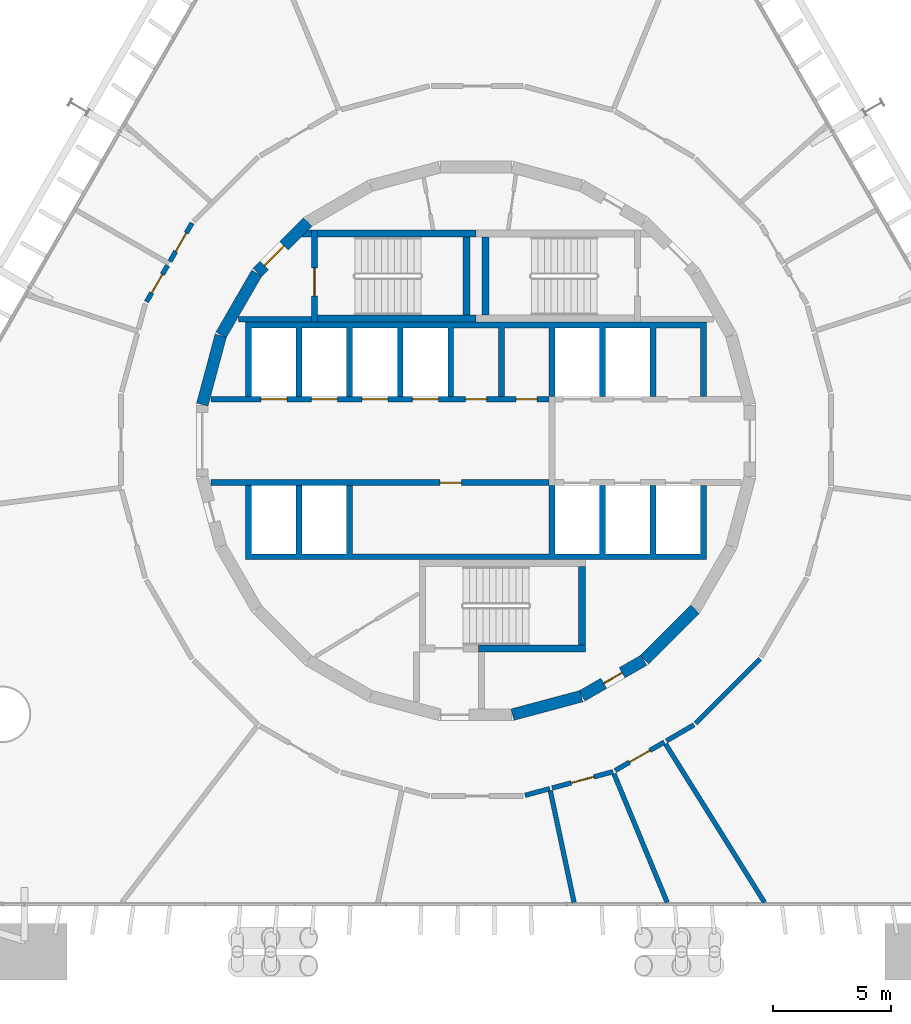
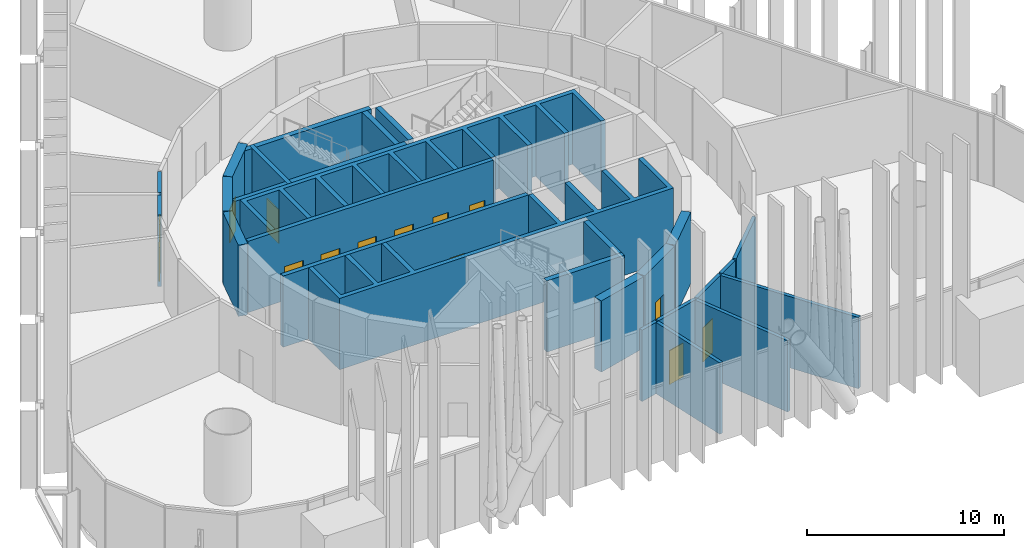
# One storey, part 14 of 17: 29 walls, 14 doors, 14 openings.
"""IFC4 building model written with IfcOpenShell, lengths in metres."""

from ifc_helpers import new_model, si_unit, direction, frame, frame_2d, origin, place, context, subcontext, project, spatial, polyline, rectangle, outline, extrude, material, layer, layer_set, type_object, element, fill, save


model = new_model("IFC4")

# Units and contexts
model_context = context("Model", 3, precision=1e-05, world=origin(), true_north=direction((0.0, 1.0)))
body_context = subcontext(model_context, "Body", "Model", "MODEL_VIEW")
ifc_project = project(units=[si_unit("LENGTHUNIT", "METRE"), si_unit("AREAUNIT", "SQUARE_METRE"), si_unit("VOLUMEUNIT", "CUBIC_METRE"), si_unit("PLANEANGLEUNIT", "RADIAN"), si_unit("MASSUNIT", "GRAM", prefix="KILO")], contexts=[model_context])

# Site, building, storey
site_placement = place(None, origin())
site = spatial("IfcSite", under=ifc_project, at=site_placement, CompositionType="ELEMENT")
building_placement = place(site_placement, origin())
building = spatial("IfcBuilding", under=site, at=building_placement, Name="Spindle Arch Residences", CompositionType="ELEMENT")
storey_placement = place(building_placement, frame((0.0, 0.0, 18.60009765625)))
storey = spatial("IfcBuildingStorey", under=building, at=storey_placement, Name="L03", CompositionType="ELEMENT", Elevation=18.60009765625)

# Wall
ifc_material_1 = material(Name="Concrete C50/60", Category="concrete")
ifc_layer_1 = layer(ifc_material_1, 0.5)
ifc_layer_set_1 = layer_set([ifc_layer_1], Name="Core outline wall 500")
wall_type_1 = type_object("IfcWallType", Name="Core outline wall 500", PredefinedType="SHEAR", material=ifc_layer_set_1)
wall_1_placement = place(storey_placement, frame((1.5498046875, -11.642822265625, 0.0), z_axis=(0.0, 0.0, 1.0), x_axis=(0.965948410781, 0.258734743916, 0.0)))
element("IfcWall", 1, at=wall_1_placement, inside=storey, type_object=wall_type_1, Name="Core outline wall 1", PredefinedType="SHEAR", context=body_context, shape_type="SweptSolid", body=[
    extrude(rectangle(XDim=3.03271484375, YDim=0.5, at=frame_2d((1.516357421875, 0.0))), origin(), (0.0, 0.0, 1.0), 4.419921875),
])

# Wall, opening, door
wall_2_placement = place(storey_placement, frame((4.510498046875, -10.84521484375, 0.0), z_axis=(0.0, 0.0, 1.0), x_axis=(0.865975092491, 0.500087131594, 0.0)))
wall_2 = element("IfcWall", 2, at=wall_2_placement, inside=storey, type_object=wall_type_1, Name="Core outline wall 2", PredefinedType="SHEAR", context=body_context, shape_type="SweptSolid", body=[
    extrude(rectangle(XDim=3.03271484375, YDim=0.5, at=frame_2d((1.516357421875, 0.0))), origin(), (0.0, 0.0, 1.0), 4.419921875),
])
opening_1_placement = place(wall_2_placement, frame((1.06640625, 0.0, 0.0)))
opening_1 = element("IfcOpeningElement", 3, at=opening_1_placement, cuts=wall_2, Name="Opening L03-WD08", PredefinedType="OPENING", context=body_context, shape_type="SweptSolid", body=[
    extrude(rectangle(XDim=0.89990234375, YDim=2.10009765625, at=frame_2d((0.449951171875, 1.050048828125))), frame((0.0, 0.260009765625, 0.0), z_axis=(0.0, -1.0, 0.0), x_axis=(1.0, 0.0, 0.0)), (0.0, 0.0, 1.0), 0.52001953125),
])
ifc_material_2 = material(Name="Steel, fire-resisting door", Category="steel")
door_type_1 = type_object("IfcDoorType", Name="Service room door 900x2100", OperationType="SINGLE_SWING_LEFT", PredefinedType="DOOR", material=ifc_material_2)
door_1_placement = place(opening_1_placement, origin())
door_1 = element("IfcDoor", 4, at=door_1_placement, inside=storey, type_object=door_type_1, Name="Service room door L03-WD08", OperationType="SINGLE_SWING_LEFT", OverallHeight=2.10009765625, OverallWidth=0.89990234375, PredefinedType="DOOR", context=body_context, shape_type="SweptSolid", body=[
    extrude(rectangle(XDim=0.89990234375, YDim=2.10009765625, at=frame_2d((0.449951171875, 1.050048828125))), frame((0.0, 0.02490234375, 0.0), z_axis=(0.0, -1.0, 0.0), x_axis=(1.0, 0.0, 0.0)), (0.0, 0.0, 1.0), 0.050048828125),
])
fill(opening_1, door_1)

# Wall
wall_3_placement = place(storey_placement, frame((7.163818359375, -9.30810546875, 0.0), z_axis=(0.0, 0.0, 1.0), x_axis=(0.707106781187, 0.707106781187, 0.0)))
element("IfcWall", 5, at=wall_3_placement, inside=storey, type_object=wall_type_1, Name="Core outline wall 3", PredefinedType="SHEAR", context=body_context, shape_type="SweptSolid", body=[
    extrude(rectangle(XDim=3.032470703125, YDim=0.5, at=frame_2d((1.51611328125, 0.0))), origin(), (0.0, 0.0, 1.0), 4.419921875),
])

# Wall, opening, door
wall_4_placement = place(storey_placement, frame((-7.163818359375, 9.30810546875, 0.0), z_axis=(0.0, 0.0, 1.0), x_axis=(-0.707106781187, -0.707106781187, 0.0)))
wall_4 = element("IfcWall", 6, at=wall_4_placement, inside=storey, type_object=wall_type_1, Name="Core outline wall 15", PredefinedType="SHEAR", context=body_context, shape_type="SweptSolid", body=[
    extrude(rectangle(XDim=3.032470703125, YDim=0.5, at=frame_2d((1.51611328125, 0.0))), origin(), (0.0, 0.0, 1.0), 4.419921875),
])
opening_2_placement = place(wall_4_placement, frame((1.416259765625, 0.0, 0.0)))
opening_2 = element("IfcOpeningElement", 7, at=opening_2_placement, cuts=wall_4, Name="Opening L03-AD02", PredefinedType="OPENING", context=body_context, shape_type="SweptSolid", body=[
    extrude(rectangle(XDim=1.199951171875, YDim=2.10009765625, at=frame_2d((0.60009765625, 1.050048828125))), frame((0.0, 0.260009765625, 0.0), z_axis=(0.0, -1.0, 0.0), x_axis=(1.0, 0.0, 0.0)), (0.0, 0.0, 1.0), 0.52001953125),
])
ifc_material_3 = material(Name="Steel, fire-resisting door", Category="steel")
door_type_2 = type_object("IfcDoorType", Name="Stair airlock door 1200x2100", OperationType="SINGLE_SWING_LEFT", PredefinedType="DOOR", material=ifc_material_3)
door_2_placement = place(opening_2_placement, origin())
door_2 = element("IfcDoor", 8, at=door_2_placement, inside=storey, type_object=door_type_2, Name="Stair airlock door L03-AD02", OperationType="SINGLE_SWING_RIGHT", OverallHeight=2.10009765625, OverallWidth=1.199951171875, PredefinedType="DOOR", context=body_context, shape_type="SweptSolid", body=[
    extrude(rectangle(XDim=1.199951171875, YDim=2.10009765625, at=frame_2d((0.60009765625, 1.050048828125))), frame((0.0, 0.02490234375, 0.0), z_axis=(0.0, -1.0, 0.0), x_axis=(1.0, 0.0, 0.0)), (0.0, 0.0, 1.0), 0.050048828125),
])
fill(opening_2, door_2)

# Walls
for number, where, z_axis, x_axis, name in (
    (9, (-9.32861328125, 7.13671875, 0.0), (0.0, 0.0, 1.0), (-0.500087131594, -0.865975092491, 0.0), "Core outline wall 16"),
    (10, (-10.858154296875, 4.479248046875, 0.0), (0.0, 0.0, 1.0), (-0.258734743916, -0.965948410781, 0.0), "Core outline wall 17"),
):
    element("IfcWall", number, at=place(storey_placement, frame(where, z_axis=z_axis, x_axis=x_axis)), inside=storey, type_object=wall_type_1, Name=name, PredefinedType="SHEAR", context=body_context, shape_type="SweptSolid", body=[
        extrude(rectangle(XDim=3.03271484375, YDim=0.5, at=frame_2d((1.516357421875, 0.0))), origin(), (0.0, 0.0, 1.0), 4.419921875),
    ])

# Wall, openings, doors
ifc_material_4 = material(Name="Concrete C50/60", Category="concrete")
ifc_layer_2 = layer(ifc_material_4, 0.25)
ifc_layer_set_2 = layer_set([ifc_layer_2], Name="Lift shaft wall 250")
wall_type_2 = type_object("IfcWallType", Name="Lift shaft wall 250", PredefinedType="SHEAR", material=ifc_layer_set_2)
wall_5_placement = place(storey_placement, frame((-11.280029296875, 1.77490234375, 0.0), z_axis=(0.0, 0.0, 1.0), x_axis=(1.0, 0.0, 0.0)))
wall_5 = element("IfcWall", 11, at=wall_5_placement, inside=storey, type_object=wall_type_2, Name="Lift shaft front wall NW", PredefinedType="SHEAR", context=body_context, shape_type="SweptSolid", body=[
    extrude(rectangle(XDim=14.380126953125, YDim=0.25, at=frame_2d((7.18994140625, 0.0))), origin(), (0.0, 0.0, 1.0), 4.419921875),
])
opening_3_placement = place(wall_5_placement, frame((2.1298828125, 0.0, 0.0)))
opening_3 = element("IfcOpeningElement", 12, at=opening_3_placement, cuts=wall_5, Name="Opening L03-LD01", PredefinedType="OPENING", context=body_context, shape_type="SweptSolid", body=[
    extrude(rectangle(XDim=1.10009765625, YDim=2.10009765625, at=frame_2d((0.550048828125, 1.050048828125))), frame((0.0, 0.135009765625, 0.0), z_axis=(0.0, -1.0, 0.0), x_axis=(1.0, 0.0, 0.0)), (0.0, 0.0, 1.0), 0.27001953125),
])
opening_4_placement = place(wall_5_placement, frame((4.280029296875, 0.0, 0.0)))
opening_4 = element("IfcOpeningElement", 13, at=opening_4_placement, cuts=wall_5, Name="Opening L03-LD02", PredefinedType="OPENING", context=body_context, shape_type="SweptSolid", body=[
    extrude(rectangle(XDim=1.10009765625, YDim=2.10009765625, at=frame_2d((0.550048828125, 1.050048828125))), frame((0.0, 0.135009765625, 0.0), z_axis=(0.0, -1.0, 0.0), x_axis=(1.0, 0.0, 0.0)), (0.0, 0.0, 1.0), 0.27001953125),
])
opening_5_placement = place(wall_5_placement, frame((6.429931640625, 0.0, 0.0)))
opening_5 = element("IfcOpeningElement", 14, at=opening_5_placement, cuts=wall_5, Name="Opening L03-LD03", PredefinedType="OPENING", context=body_context, shape_type="SweptSolid", body=[
    extrude(rectangle(XDim=1.10009765625, YDim=2.10009765625, at=frame_2d((0.550048828125, 1.050048828125))), frame((0.0, 0.135009765625, 0.0), z_axis=(0.0, -1.0, 0.0), x_axis=(1.0, 0.0, 0.0)), (0.0, 0.0, 1.0), 0.27001953125),
])
opening_6_placement = place(wall_5_placement, frame((8.580078125, 0.0, 0.0)))
opening_6 = element("IfcOpeningElement", 15, at=opening_6_placement, cuts=wall_5, Name="Opening L03-LD04", PredefinedType="OPENING", context=body_context, shape_type="SweptSolid", body=[
    extrude(rectangle(XDim=1.10009765625, YDim=2.10009765625, at=frame_2d((0.550048828125, 1.050048828125))), frame((0.0, 0.135009765625, 0.0), z_axis=(0.0, -1.0, 0.0), x_axis=(1.0, 0.0, 0.0)), (0.0, 0.0, 1.0), 0.27001953125),
])
opening_7_placement = place(wall_5_placement, frame((10.830078125, 0.0, 0.0)))
opening_7 = element("IfcOpeningElement", 16, at=opening_7_placement, cuts=wall_5, Name="Opening L03-WD01", PredefinedType="OPENING", context=body_context, shape_type="SweptSolid", body=[
    extrude(rectangle(XDim=0.89990234375, YDim=2.10009765625, at=frame_2d((0.449951171875, 1.050048828125))), frame((0.0, 0.135009765625, 0.0), z_axis=(0.0, -1.0, 0.0), x_axis=(1.0, 0.0, 0.0)), (0.0, 0.0, 1.0), 0.27001953125),
])
opening_8_placement = place(wall_5_placement, frame((12.97998046875, 0.0, 0.0)))
opening_8 = element("IfcOpeningElement", 17, at=opening_8_placement, cuts=wall_5, Name="Opening L03-WD02", PredefinedType="OPENING", context=body_context, shape_type="SweptSolid", body=[
    extrude(rectangle(XDim=0.89990234375, YDim=2.10009765625, at=frame_2d((0.449951171875, 1.050048828125))), frame((0.0, 0.135009765625, 0.0), z_axis=(0.0, -1.0, 0.0), x_axis=(1.0, 0.0, 0.0)), (0.0, 0.0, 1.0), 0.27001953125),
])
ifc_material_5 = material(Name="Steel, fire-resisting landing door", Category="steel")
door_type_3 = type_object("IfcDoorType", Name="Lift landing door 1100x2100", OperationType="DOUBLE_DOOR_SLIDING", PredefinedType="DOOR", material=ifc_material_5)
door_3_placement = place(opening_3_placement, origin())
door_3 = element("IfcDoor", 18, at=door_3_placement, inside=storey, type_object=door_type_3, Name="Lift landing door L03-LD01", OperationType="DOUBLE_DOOR_SLIDING", OverallHeight=2.10009765625, OverallWidth=1.10009765625, PredefinedType="DOOR", context=body_context, shape_type="SweptSolid", body=[
    extrude(rectangle(XDim=1.10009765625, YDim=2.10009765625, at=frame_2d((0.550048828125, 1.050048828125))), frame((0.0, 0.02490234375, 0.0), z_axis=(0.0, -1.0, 0.0), x_axis=(1.0, 0.0, 0.0)), (0.0, 0.0, 1.0), 0.050048828125),
])
fill(opening_3, door_3)
door_4_placement = place(opening_4_placement, origin())
door_4 = element("IfcDoor", 19, at=door_4_placement, inside=storey, type_object=door_type_3, Name="Lift landing door L03-LD02", OperationType="DOUBLE_DOOR_SLIDING", OverallHeight=2.10009765625, OverallWidth=1.10009765625, PredefinedType="DOOR", context=body_context, shape_type="SweptSolid", body=[
    extrude(rectangle(XDim=1.10009765625, YDim=2.10009765625, at=frame_2d((0.550048828125, 1.050048828125))), frame((0.0, 0.02490234375, 0.0), z_axis=(0.0, -1.0, 0.0), x_axis=(1.0, 0.0, 0.0)), (0.0, 0.0, 1.0), 0.050048828125),
])
fill(opening_4, door_4)
door_5_placement = place(opening_5_placement, origin())
door_5 = element("IfcDoor", 20, at=door_5_placement, inside=storey, type_object=door_type_3, Name="Lift landing door L03-LD03", OperationType="DOUBLE_DOOR_SLIDING", OverallHeight=2.10009765625, OverallWidth=1.10009765625, PredefinedType="DOOR", context=body_context, shape_type="SweptSolid", body=[
    extrude(rectangle(XDim=1.10009765625, YDim=2.10009765625, at=frame_2d((0.550048828125, 1.050048828125))), frame((0.0, 0.02490234375, 0.0), z_axis=(0.0, -1.0, 0.0), x_axis=(1.0, 0.0, 0.0)), (0.0, 0.0, 1.0), 0.050048828125),
])
fill(opening_5, door_5)
door_6_placement = place(opening_6_placement, origin())
door_6 = element("IfcDoor", 21, at=door_6_placement, inside=storey, type_object=door_type_3, Name="Lift landing door L03-LD04", OperationType="DOUBLE_DOOR_SLIDING", OverallHeight=2.10009765625, OverallWidth=1.10009765625, PredefinedType="DOOR", context=body_context, shape_type="SweptSolid", body=[
    extrude(rectangle(XDim=1.10009765625, YDim=2.10009765625, at=frame_2d((0.550048828125, 1.050048828125))), frame((0.0, 0.02490234375, 0.0), z_axis=(0.0, -1.0, 0.0), x_axis=(1.0, 0.0, 0.0)), (0.0, 0.0, 1.0), 0.050048828125),
])
fill(opening_6, door_6)
door_7_placement = place(opening_7_placement, origin())
door_7 = element("IfcDoor", 22, at=door_7_placement, inside=storey, type_object=door_type_1, Name="Service room door L03-WD01", OperationType="SINGLE_SWING_RIGHT", OverallHeight=2.10009765625, OverallWidth=0.89990234375, PredefinedType="DOOR", context=body_context, shape_type="SweptSolid", body=[
    extrude(rectangle(XDim=0.89990234375, YDim=2.10009765625, at=frame_2d((0.449951171875, 1.050048828125))), frame((0.0, 0.02490234375, 0.0), z_axis=(0.0, -1.0, 0.0), x_axis=(1.0, 0.0, 0.0)), (0.0, 0.0, 1.0), 0.050048828125),
])
fill(opening_7, door_7)
door_8_placement = place(opening_8_placement, origin())
door_8 = element("IfcDoor", 23, at=door_8_placement, inside=storey, type_object=door_type_1, Name="Service room door L03-WD02", OperationType="SINGLE_SWING_LEFT", OverallHeight=2.10009765625, OverallWidth=0.89990234375, PredefinedType="DOOR", context=body_context, shape_type="SweptSolid", body=[
    extrude(rectangle(XDim=0.89990234375, YDim=2.10009765625, at=frame_2d((0.449951171875, 1.050048828125))), frame((0.0, 0.02490234375, 0.0), z_axis=(0.0, -1.0, 0.0), x_axis=(1.0, 0.0, 0.0)), (0.0, 0.0, 1.0), 0.050048828125),
])
fill(opening_8, door_8)

# Wall, opening, door
wall_6_placement = place(storey_placement, frame((-11.280029296875, -1.77490234375, 0.0), z_axis=(0.0, 0.0, 1.0), x_axis=(1.0, 0.0, 0.0)))
wall_6 = element("IfcWall", 24, at=wall_6_placement, inside=storey, type_object=wall_type_2, Name="Lift shaft front wall SW", PredefinedType="SHEAR", context=body_context, shape_type="SweptSolid", body=[
    extrude(rectangle(XDim=14.380126953125, YDim=0.25, at=frame_2d((7.18994140625, 0.0))), origin(), (0.0, 0.0, 1.0), 4.419921875),
])
opening_9_placement = place(wall_6_placement, frame((9.7548828125, 0.0, 0.0)))
opening_9 = element("IfcOpeningElement", 25, at=opening_9_placement, cuts=wall_6, Name="Opening L03-WD04", PredefinedType="OPENING", context=body_context, shape_type="SweptSolid", body=[
    extrude(rectangle(XDim=0.89990234375, YDim=2.10009765625, at=frame_2d((0.449951171875, 1.050048828125))), frame((0.0, 0.135009765625, 0.0), z_axis=(0.0, -1.0, 0.0), x_axis=(1.0, 0.0, 0.0)), (0.0, 0.0, 1.0), 0.27001953125),
])
door_9_placement = place(opening_9_placement, origin())
door_9 = element("IfcDoor", 26, at=door_9_placement, inside=storey, type_object=door_type_1, Name="Service room door L03-WD04", OperationType="SINGLE_SWING_LEFT", OverallHeight=2.10009765625, OverallWidth=0.89990234375, PredefinedType="DOOR", context=body_context, shape_type="SweptSolid", body=[
    extrude(rectangle(XDim=0.89990234375, YDim=2.10009765625, at=frame_2d((0.449951171875, 1.050048828125))), frame((0.0, 0.02490234375, 0.0), z_axis=(0.0, -1.0, 0.0), x_axis=(1.0, 0.0, 0.0)), (0.0, 0.0, 1.0), 0.050048828125),
])
fill(opening_9, door_9)

# Walls
ifc_material_6 = material(Name="Concrete C50/60", Category="concrete")
wall_type_3 = type_object("IfcWallType", Name="Lift shaft wall profile", PredefinedType="SHEAR", material=ifc_material_6)
wall_7_placement = place(storey_placement, origin())
element("IfcWall", 27, at=wall_7_placement, inside=storey, type_object=wall_type_3, Name="Lift shaft walls N", PredefinedType="SHEAR", context=body_context, shape_type="SweptSolid", body=[
    extrude(outline(polyline([(-9.550048828125, 4.800048828125), (-7.64990234375, 4.800048828125), (-7.64990234375, 1.89990234375), (-7.39990234375, 1.89990234375), (-7.39990234375, 4.800048828125), (-5.5, 4.800048828125), (-5.5, 1.89990234375), (-5.25, 1.89990234375), (-5.25, 4.800048828125), (-3.35009765625, 4.800048828125), (-3.35009765625, 1.89990234375), (-3.10009765625, 1.89990234375), (-3.10009765625, 4.800048828125), (-1.199951171875, 4.800048828125), (-1.199951171875, 1.89990234375), (-0.949951171875, 1.89990234375), (-0.949951171875, 4.800048828125), (0.949951171875, 4.800048828125), (0.949951171875, 1.89990234375), (1.199951171875, 1.89990234375), (1.199951171875, 4.800048828125), (3.10009765625, 4.800048828125), (3.10009765625, 1.89990234375), (3.35009765625, 1.89990234375), (3.35009765625, 4.800048828125), (5.25, 4.800048828125), (5.25, 1.89990234375), (5.5, 1.89990234375), (5.5, 4.800048828125), (7.39990234375, 4.800048828125), (7.39990234375, 1.89990234375), (7.64990234375, 1.89990234375), (7.64990234375, 4.800048828125), (9.550048828125, 4.800048828125), (9.550048828125, 1.89990234375), (9.800048828125, 1.89990234375), (9.800048828125, 4.800048828125), (9.800048828125, 5.050048828125), (-9.800048828125, 5.050048828125), (-9.800048828125, 4.800048828125), (-9.800048828125, 1.89990234375), (-9.550048828125, 1.89990234375), (-9.550048828125, 4.800048828125)])), origin(), (0.0, 0.0, 1.0), 4.419921875),
])
wall_8_placement = place(storey_placement, origin())
element("IfcWall", 28, at=wall_8_placement, inside=storey, type_object=wall_type_3, Name="Lift shaft walls S", PredefinedType="SHEAR", context=body_context, shape_type="SweptSolid", body=[
    extrude(outline(polyline([(9.800048828125, -5.050048828125), (9.800048828125, -4.800048828125), (9.800048828125, -1.89990234375), (9.550048828125, -1.89990234375), (9.550048828125, -4.800048828125), (7.64990234375, -4.800048828125), (7.64990234375, -1.89990234375), (7.39990234375, -1.89990234375), (7.39990234375, -4.800048828125), (5.5, -4.800048828125), (5.5, -1.89990234375), (5.25, -1.89990234375), (5.25, -4.800048828125), (3.35009765625, -4.800048828125), (3.35009765625, -1.89990234375), (3.10009765625, -1.89990234375), (3.10009765625, -4.800048828125), (-5.25, -4.800048828125), (-5.25, -1.89990234375), (-5.5, -1.89990234375), (-5.5, -4.800048828125), (-7.39990234375, -4.800048828125), (-7.39990234375, -1.89990234375), (-7.64990234375, -1.89990234375), (-7.64990234375, -4.800048828125), (-9.550048828125, -4.800048828125), (-9.550048828125, -1.89990234375), (-9.800048828125, -1.89990234375), (-9.800048828125, -4.800048828125), (-9.800048828125, -5.050048828125), (9.800048828125, -5.050048828125)])), origin(), (0.0, 0.0, 1.0), 4.419921875),
])

# Wall, opening, door
ifc_material_7 = material(Name="Gypsum board partition on steel studs", Category="steel")
ifc_layer_3 = layer(ifc_material_7, 0.199951171875)
ifc_layer_set_3 = layer_set([ifc_layer_3], Name="Partition EI 60 200 amenity")
wall_type_4 = type_object("IfcWallType", Name="Partition EI 60 200 amenity", PredefinedType="PARTITIONING", material=ifc_layer_set_3)
wall_9_placement = place(storey_placement, frame((-13.120361328125, 7.463623046875, 0.0), z_axis=(0.0, 0.0, 1.0), x_axis=(-0.502589631847, -0.864525107767, 0.0)))
wall_9 = element("IfcWall", 29, at=wall_9_placement, inside=storey, type_object=wall_type_4, Name="L03-W009", PredefinedType="PARTITIONING", context=body_context, shape_type="SweptSolid", body=[
    extrude(rectangle(XDim=1.78955078125, YDim=0.199951171875, at=frame_2d((0.894775390625, 0.0))), origin(), (0.0, 0.0, 1.0), 4.419921875),
])
opening_10_placement = place(wall_9_placement, frame((0.44482421875, 0.0, 0.0)))
opening_10 = element("IfcOpeningElement", 30, at=opening_10_placement, cuts=wall_9, Name="Opening L03-D10", PredefinedType="OPENING", context=body_context, shape_type="SweptSolid", body=[
    extrude(rectangle(XDim=0.89990234375, YDim=2.10009765625, at=frame_2d((0.449951171875, 1.050048828125))), frame((0.0, 0.10986328125, 0.0), z_axis=(0.0, -1.0, 0.0), x_axis=(1.0, 0.0, 0.0)), (0.0, 0.0, 1.0), 0.219970703125),
])
ifc_material_8 = material(Name="Timber door leaf", Category="wood")
door_type_4 = type_object("IfcDoorType", Name="Door 900x2100 EI 30", OperationType="SINGLE_SWING_LEFT", PredefinedType="DOOR", material=ifc_material_8)
door_10_placement = place(opening_10_placement, origin())
door_10 = element("IfcDoor", 31, at=door_10_placement, inside=storey, type_object=door_type_4, Name="L03-D10", OperationType="SINGLE_SWING_LEFT", OverallHeight=2.10009765625, OverallWidth=0.89990234375, PredefinedType="DOOR", context=body_context, shape_type="SweptSolid", body=[
    extrude(rectangle(XDim=0.89990234375, YDim=2.10009765625, at=frame_2d((0.449951171875, 1.050048828125))), frame((0.0, 0.02490234375, 0.0), z_axis=(0.0, -1.0, 0.0), x_axis=(1.0, 0.0, 0.0)), (0.0, 0.0, 1.0), 0.050048828125),
])
fill(opening_10, door_10)

wall_10_placement = place(storey_placement, frame((-12.080078125, 9.27001953125, 0.0), z_axis=(0.0, 0.0, 1.0), x_axis=(-0.49878752461, -0.86672429601, 0.0)))
wall_10 = element("IfcWall", 32, at=wall_10_placement, inside=storey, type_object=wall_type_4, Name="L03-W011", PredefinedType="PARTITIONING", context=body_context, shape_type="SweptSolid", body=[
    extrude(rectangle(XDim=1.884521484375, YDim=0.199951171875, at=frame_2d((0.9423828125, 0.0))), origin(), (0.0, 0.0, 1.0), 4.419921875),
])
opening_11_placement = place(wall_10_placement, frame((0.4921875, 0.0, 0.0)))
opening_11 = element("IfcOpeningElement", 33, at=opening_11_placement, cuts=wall_10, Name="Opening L03-D11", PredefinedType="OPENING", context=body_context, shape_type="SweptSolid", body=[
    extrude(rectangle(XDim=0.89990234375, YDim=2.10009765625, at=frame_2d((0.449951171875, 1.050048828125))), frame((0.0, 0.10986328125, 0.0), z_axis=(0.0, -1.0, 0.0), x_axis=(1.0, 0.0, 0.0)), (0.0, 0.0, 1.0), 0.219970703125),
])
door_11_placement = place(opening_11_placement, origin())
door_11 = element("IfcDoor", 34, at=door_11_placement, inside=storey, type_object=door_type_4, Name="L03-D11", OperationType="SINGLE_SWING_LEFT", OverallHeight=2.10009765625, OverallWidth=0.89990234375, PredefinedType="DOOR", context=body_context, shape_type="SweptSolid", body=[
    extrude(rectangle(XDim=0.89990234375, YDim=2.10009765625, at=frame_2d((0.449951171875, 1.050048828125))), frame((0.0, 0.02490234375, 0.0), z_axis=(0.0, -1.0, 0.0), x_axis=(1.0, 0.0, 0.0)), (0.0, 0.0, 1.0), 0.050048828125),
])
fill(opening_11, door_11)

# Walls
wall_11_placement = place(storey_placement, frame((2.086669921875, -15.073974609375, 0.0), z_axis=(0.0, 0.0, 1.0), x_axis=(0.965529267024, 0.260294514963, 0.0)))
element("IfcWall", 35, at=wall_11_placement, inside=storey, type_object=wall_type_4, Name="L03-W024", PredefinedType="PARTITIONING", context=body_context, shape_type="SweptSolid", body=[
    extrude(rectangle(XDim=1.0908203125, YDim=0.199951171875, at=frame_2d((0.54541015625, 0.0))), origin(), (0.0, 0.0, 1.0), 4.419921875),
])
wall_12_placement = place(storey_placement, frame((3.160888671875, -14.8876953125, 0.0), z_axis=(0.0, 0.0, 1.0), x_axis=(0.208118919353, -0.978103530005, 0.0)))
element("IfcWall", 36, at=wall_12_placement, inside=storey, type_object=wall_type_4, Name="L03-W026", PredefinedType="PARTITIONING", context=body_context, shape_type="SweptSolid", body=[
    extrude(rectangle(XDim=4.848388671875, YDim=0.199951171875, at=frame_2d((2.42431640625, 0.0))), origin(), (0.0, 0.0, 1.0), 4.419921875),
])

# Wall, opening, door
wall_13_placement = place(storey_placement, frame((3.236572265625, -14.76416015625, 0.0), z_axis=(0.0, 0.0, 1.0), x_axis=(0.966003629213, 0.25852850587, 0.0)))
wall_13 = element("IfcWall", 37, at=wall_13_placement, inside=storey, type_object=wall_type_4, Name="L03-W027", PredefinedType="PARTITIONING", context=body_context, shape_type="SweptSolid", body=[
    extrude(rectangle(XDim=2.684814453125, YDim=0.199951171875, at=frame_2d((1.34228515625, 0.0))), origin(), (0.0, 0.0, 1.0), 4.419921875),
])
opening_12_placement = place(wall_13_placement, frame((0.84228515625, 0.0, 0.0)))
opening_12 = element("IfcOpeningElement", 38, at=opening_12_placement, cuts=wall_13, Name="Opening L03-D02", PredefinedType="OPENING", context=body_context, shape_type="SweptSolid", body=[
    extrude(rectangle(XDim=1.0, YDim=2.10009765625, at=frame_2d((0.5, 1.050048828125))), frame((0.0, 0.10986328125, 0.0), z_axis=(0.0, -1.0, 0.0), x_axis=(1.0, 0.0, 0.0)), (0.0, 0.0, 1.0), 0.219970703125),
])
ifc_material_9 = material(Name="Timber door leaf", Category="wood")
door_type_5 = type_object("IfcDoorType", Name="Door 1000x2100 EI 30", OperationType="SINGLE_SWING_LEFT", PredefinedType="DOOR", material=ifc_material_9)
door_12_placement = place(opening_12_placement, origin())
door_12 = element("IfcDoor", 39, at=door_12_placement, inside=storey, type_object=door_type_5, Name="L03-D02", OperationType="SINGLE_SWING_LEFT", OverallHeight=2.10009765625, OverallWidth=1.0, PredefinedType="DOOR", context=body_context, shape_type="SweptSolid", body=[
    extrude(rectangle(XDim=1.0, YDim=2.10009765625, at=frame_2d((0.5, 1.050048828125))), frame((0.0, 0.02490234375, 0.0), z_axis=(0.0, -1.0, 0.0), x_axis=(1.0, 0.0, 0.0)), (0.0, 0.0, 1.0), 0.050048828125),
])
fill(opening_12, door_12)

wall_14_placement = place(storey_placement, frame((5.91650390625, -14.02001953125, 0.0), z_axis=(0.0, 0.0, 1.0), x_axis=(0.865797030805, 0.500395345151, 0.0)))
wall_14 = element("IfcWall", 40, at=wall_14_placement, inside=storey, type_object=wall_type_4, Name="L03-W028", PredefinedType="PARTITIONING", context=body_context, shape_type="SweptSolid", body=[
    extrude(rectangle(XDim=2.41796875, YDim=0.199951171875, at=frame_2d((1.208984375, 0.0))), origin(), (0.0, 0.0, 1.0), 4.419921875),
])
opening_13_placement = place(wall_14_placement, frame((0.708984375, 0.0, 0.0)))
opening_13 = element("IfcOpeningElement", 41, at=opening_13_placement, cuts=wall_14, Name="Opening L03-D04", PredefinedType="OPENING", context=body_context, shape_type="SweptSolid", body=[
    extrude(rectangle(XDim=1.0, YDim=2.10009765625, at=frame_2d((0.5, 1.050048828125))), frame((0.0, 0.10986328125, 0.0), z_axis=(0.0, -1.0, 0.0), x_axis=(1.0, 0.0, 0.0)), (0.0, 0.0, 1.0), 0.219970703125),
])
door_13_placement = place(opening_13_placement, origin())
door_13 = element("IfcDoor", 42, at=door_13_placement, inside=storey, type_object=door_type_5, Name="L03-D04", OperationType="SINGLE_SWING_LEFT", OverallHeight=2.10009765625, OverallWidth=1.0, PredefinedType="DOOR", context=body_context, shape_type="SweptSolid", body=[
    extrude(rectangle(XDim=1.0, YDim=2.10009765625, at=frame_2d((0.5, 1.050048828125))), frame((0.0, 0.02490234375, 0.0), z_axis=(0.0, -1.0, 0.0), x_axis=(1.0, 0.0, 0.0)), (0.0, 0.0, 1.0), 0.050048828125),
])
fill(opening_13, door_13)

# Walls
wall_15_placement = place(storey_placement, frame((5.8681640625, -14.162353515625, 0.0), z_axis=(0.0, 0.0, 1.0), x_axis=(0.382249745869, -0.924059052108, 0.0)))
element("IfcWall", 43, at=wall_15_placement, inside=storey, type_object=wall_type_4, Name="L03-W029", PredefinedType="PARTITIONING", context=body_context, shape_type="SweptSolid", body=[
    extrude(rectangle(XDim=5.916748046875, YDim=0.199951171875, at=frame_2d((2.95849609375, 0.0))), origin(), (0.0, 0.0, 1.0), 4.419921875),
])
wall_16_placement = place(storey_placement, frame((8.096435546875, -12.759765625, 0.0), z_axis=(0.0, 0.0, 1.0), x_axis=(0.865348217229, 0.501171091484, 0.0)))
element("IfcWall", 44, at=wall_16_placement, inside=storey, type_object=wall_type_4, Name="L03-W031", PredefinedType="PARTITIONING", context=body_context, shape_type="SweptSolid", body=[
    extrude(rectangle(XDim=1.356201171875, YDim=0.199951171875, at=frame_2d((0.67822265625, 0.0))), origin(), (0.0, 0.0, 1.0), 4.419921875),
])
wall_17_placement = place(storey_placement, frame((8.06298828125, -12.894775390625, 0.0), z_axis=(0.0, 0.0, 1.0), x_axis=(0.529780605496, -0.848134723992, 0.0)))
element("IfcWall", 45, at=wall_17_placement, inside=storey, type_object=wall_type_4, Name="L03-W032", PredefinedType="PARTITIONING", context=body_context, shape_type="SweptSolid", body=[
    extrude(rectangle(XDim=7.941162109375, YDim=0.199951171875, at=frame_2d((3.970703125, 0.0))), origin(), (0.0, 0.0, 1.0), 4.419921875),
])
wall_18_placement = place(storey_placement, frame((9.3408203125, -12.00927734375, 0.0), z_axis=(0.0, 0.0, 1.0), x_axis=(0.707106781187, 0.707106781187, 0.0)))
element("IfcWall", 46, at=wall_18_placement, inside=storey, type_object=wall_type_4, Name="L03-W033", PredefinedType="PARTITIONING", context=body_context, shape_type="SweptSolid", body=[
    extrude(rectangle(XDim=3.873779296875, YDim=0.199951171875, at=frame_2d((1.93701171875, 0.0))), origin(), (0.0, 0.0, 1.0), 4.419921875),
])
ifc_material_10 = material(Name="Concrete C40/50", Category="concrete")
ifc_layer_4 = layer(ifc_material_10, 0.25)
ifc_layer_set_4 = layer_set([ifc_layer_4], Name="Stair airlock wall 250")
wall_type_5 = type_object("IfcWallType", Name="Stair airlock wall 250", PredefinedType="SHEAR", material=ifc_layer_set_4)
wall_19_placement = place(storey_placement, frame((-7.0, 5.175048828125, 0.0), z_axis=(0.0, 0.0, 1.0), x_axis=(-1.0, 0.0, 0.0)))
element("IfcWall", 47, at=wall_19_placement, inside=storey, type_object=wall_type_5, Name="Stair ST-2 airlock wall S", PredefinedType="SHEAR", context=body_context, shape_type="SweptSolid", body=[
    extrude(rectangle(XDim=3.10009765625, YDim=0.25, at=frame_2d((1.550048828125, 0.0))), origin(), (0.0, 0.0, 1.0), 4.419921875),
])
ifc_material_11 = material(Name="Concrete C40/50", Category="concrete")
wall_type_6 = type_object("IfcWallType", Name="Stair airlock wall profile", PredefinedType="SHEAR", material=ifc_material_11)
wall_20_placement = place(storey_placement, origin())
element("IfcWall", 48, at=wall_20_placement, inside=storey, type_object=wall_type_6, Name="Stair ST-2 airlock wall N", PredefinedType="SHEAR", context=body_context, shape_type="SweptSolid", body=[
    extrude(outline(polyline([(-7.148193359375, 8.969970703125), (-7.0, 8.969970703125), (-7.0, 8.669921875), (-7.4482421875, 8.669921875), (-7.148193359375, 8.969970703125)])), origin(), (0.0, 0.0, 1.0), 4.419921875),
])

# Wall, opening, door
ifc_material_12 = material(Name="Concrete C50/60", Category="concrete")
ifc_layer_5 = layer(ifc_material_12, 0.25)
ifc_layer_set_5 = layer_set([ifc_layer_5], Name="Stair enclosure wall 250")
wall_type_7 = type_object("IfcWallType", Name="Stair enclosure wall 250", PredefinedType="SHEAR", material=ifc_layer_set_5)
wall_21_placement = place(storey_placement, frame((-6.875, 8.969970703125, 0.0), z_axis=(0.0, 0.0, 1.0), x_axis=(0.0, -1.0, 0.0)))
wall_21 = element("IfcWall", 49, at=wall_21_placement, inside=storey, type_object=wall_type_7, Name="Stair ST-2 door wall", PredefinedType="SHEAR", context=body_context, shape_type="SweptSolid", body=[
    extrude(rectangle(XDim=3.919921875, YDim=0.25, at=frame_2d((1.9599609375, 0.0))), origin(), (0.0, 0.0, 1.0), 4.419921875),
])
opening_14_placement = place(wall_21_placement, frame((1.610107421875, 0.0, 0.0)))
opening_14 = element("IfcOpeningElement", 50, at=opening_14_placement, cuts=wall_21, Name="Opening L03-SD02", PredefinedType="OPENING", context=body_context, shape_type="SweptSolid", body=[
    extrude(rectangle(XDim=1.199951171875, YDim=2.10009765625, at=frame_2d((0.60009765625, 1.050048828125))), frame((0.0, 0.135009765625, 0.0), z_axis=(0.0, -1.0, 0.0), x_axis=(1.0, 0.0, 0.0)), (0.0, 0.0, 1.0), 0.27001953125),
])
ifc_material_13 = material(Name="Steel, fire-resisting door", Category="steel")
door_type_6 = type_object("IfcDoorType", Name="Stair door 1200x2100", OperationType="SINGLE_SWING_RIGHT", PredefinedType="DOOR", material=ifc_material_13)
door_14_placement = place(opening_14_placement, origin())
door_14 = element("IfcDoor", 51, at=door_14_placement, inside=storey, type_object=door_type_6, Name="Stair door L03-SD02", OperationType="SINGLE_SWING_LEFT", OverallHeight=2.10009765625, OverallWidth=1.199951171875, PredefinedType="DOOR", context=body_context, shape_type="SweptSolid", body=[
    extrude(rectangle(XDim=1.199951171875, YDim=2.10009765625, at=frame_2d((0.60009765625, 1.050048828125))), frame((0.0, 0.02490234375, 0.0), z_axis=(0.0, -1.0, 0.0), x_axis=(1.0, 0.0, 0.0)), (0.0, 0.0, 1.0), 0.050048828125),
])
fill(opening_14, door_14)

# Walls
ifc_material_14 = material(Name="Concrete C50/60", Category="concrete")
ifc_layer_6 = layer(ifc_material_14, 0.300048828125)
ifc_layer_set_6 = layer_set([ifc_layer_6], Name="Stair enclosure wall 300")
wall_type_8 = type_object("IfcWallType", Name="Stair enclosure wall 300", PredefinedType="SHEAR", material=ifc_layer_set_6)
wall_22_placement = place(storey_placement, frame((0.39990234375, 5.35009765625, 0.0), z_axis=(0.0, 0.0, 1.0), x_axis=(0.0, 1.0, 0.0)))
element("IfcWall", 52, at=wall_22_placement, inside=storey, type_object=wall_type_8, Name="Stair ST-1 enclosure wall F", PredefinedType="SHEAR", context=body_context, shape_type="SweptSolid", body=[
    extrude(rectangle(XDim=3.31982421875, YDim=0.300048828125, at=frame_2d((1.659912109375, 0.0))), origin(), (0.0, 0.0, 1.0), 4.419921875),
])
for number, where, z_axis, x_axis, name in (
    (53, (-6.75, 5.199951171875, 0.0), (0.0, 0.0, 1.0), (1.0, 0.0, 0.0), "Stair ST-2 enclosure wall S"),
    (54, (-6.75, 8.820068359375, 0.0), (0.0, 0.0, 1.0), (1.0, 0.0, 0.0), "Stair ST-2 enclosure wall N"),
):
    element("IfcWall", number, at=place(storey_placement, frame(where, z_axis=z_axis, x_axis=x_axis)), inside=storey, type_object=wall_type_8, Name=name, PredefinedType="SHEAR", context=body_context, shape_type="SweptSolid", body=[
        extrude(rectangle(XDim=6.75, YDim=0.300048828125, at=frame_2d((3.375, 0.0))), origin(), (0.0, 0.0, 1.0), 4.419921875),
    ])
for number, where, z_axis, x_axis, name in (
    (55, (-0.39990234375, 5.35009765625, 0.0), (0.0, 0.0, 1.0), (0.0, 1.0, 0.0), "Stair ST-2 enclosure wall F"),
    (56, (4.5, -8.669921875, 0.0), (0.0, 0.0, 1.0), (0.0, 1.0, 0.0), "Stair ST-3 enclosure wall E"),
):
    element("IfcWall", number, at=place(storey_placement, frame(where, z_axis=z_axis, x_axis=x_axis)), inside=storey, type_object=wall_type_8, Name=name, PredefinedType="SHEAR", context=body_context, shape_type="SweptSolid", body=[
        extrude(rectangle(XDim=3.31982421875, YDim=0.300048828125, at=frame_2d((1.659912109375, 0.0))), origin(), (0.0, 0.0, 1.0), 4.419921875),
    ])
wall_23_placement = place(storey_placement, frame((0.10009765625, -8.820068359375, 0.0), z_axis=(0.0, 0.0, 1.0), x_axis=(1.0, 0.0, 0.0)))
element("IfcWall", 57, at=wall_23_placement, inside=storey, type_object=wall_type_8, Name="Stair ST-3 enclosure wall S", PredefinedType="SHEAR", context=body_context, shape_type="SweptSolid", body=[
    extrude(rectangle(XDim=4.5498046875, YDim=0.300048828125, at=frame_2d((2.27490234375, 0.0))), origin(), (0.0, 0.0, 1.0), 4.419921875),
])

save(model, "model.ifc")
